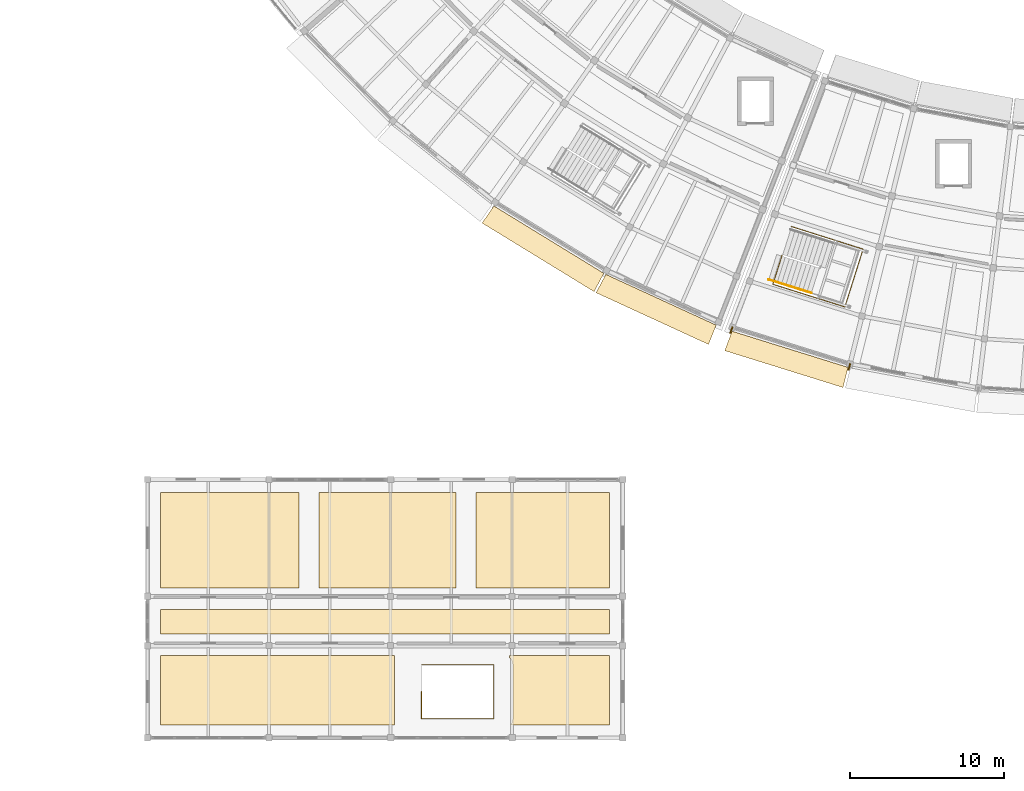
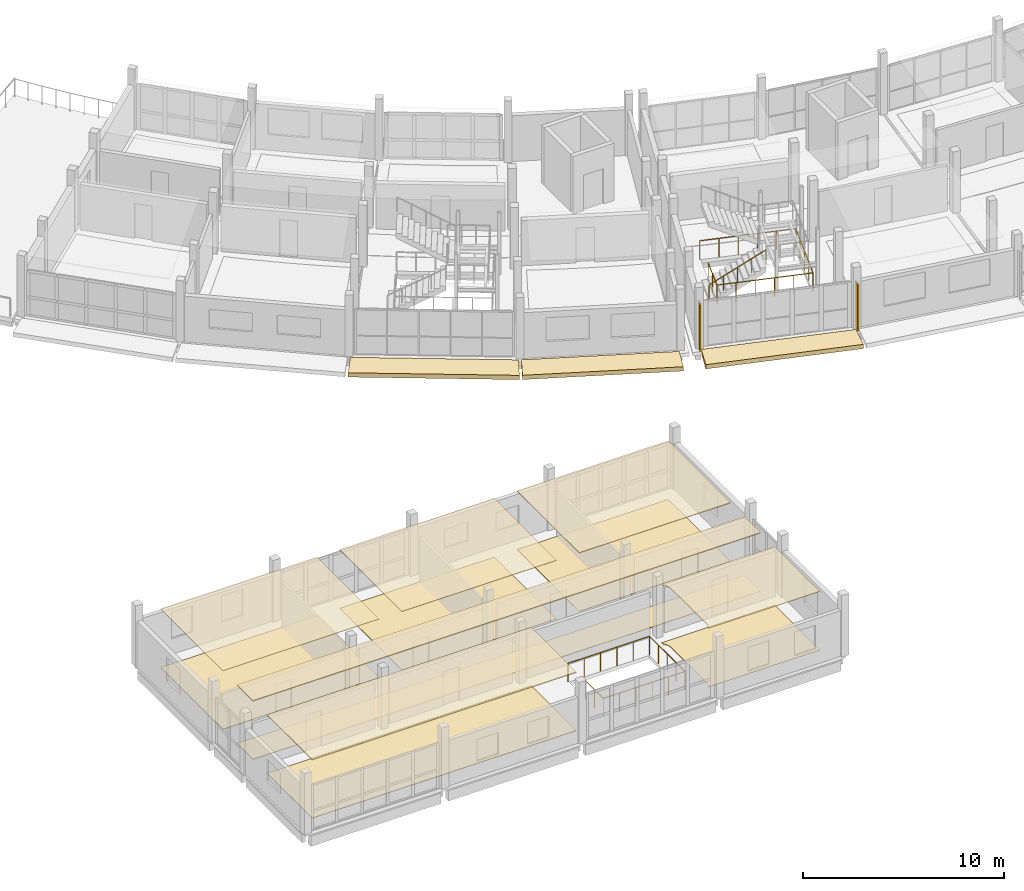
# One storey, part 58 of 66: 15 coverings, 3 railings, 2 shading devices.
"""IFC4 building model written with IfcOpenShell, lengths in metres."""

import ifcopenshell
import ifcopenshell.guid

model = None  # the IFC model being written
_history = None  # IfcOwnerHistory: only IFC2X3 demands one
_inside = {}  # id of a spatial element -> (the spatial element, [elements in it])
_under = {}  # id of a project, library or spatial element -> (it, [spatial elements below it])
_declared = {}  # id of a project -> (the project, [libraries it declares])
_typed = {}  # id of a type object -> (the type object, [elements of that type])
_made_of = {}  # id of a material, layer set ... -> (it, [elements and type objects made of it])


def new_model(schema):
    """Start an empty IFC model of exactly this schema.

    Asked for "IFC4X3", IfcOpenShell would pick the latest addendum, in which some entities
    have other attributes; the version numbers below select the first issue.
    IFC2X3 requires an IfcOwnerHistory on every rooted entity: one is made here for all.
    """
    global model, _history
    if schema == "IFC4X3":
        model = ifcopenshell.file(schema_version=(4, 3, 0, 0))
    else:
        model = ifcopenshell.file(schema=schema)
    _inside.clear()
    _under.clear()
    _declared.clear()
    _typed.clear()
    _made_of.clear()
    _history = None
    if model.schema == "IFC2X3":
        org = make("IfcOrganization", Name="unknown")
        user = make(
            "IfcPersonAndOrganization",
            ThePerson=make("IfcPerson", FamilyName="unknown"),
            TheOrganization=org,
        )
        app = make(
            "IfcApplication",
            ApplicationDeveloper=org,
            Version="unknown",
            ApplicationFullName="unknown",
            ApplicationIdentifier="unknown",
        )
        _history = make(
            "IfcOwnerHistory",
            OwningUser=user,
            OwningApplication=app,
            ChangeAction="ADDED",
            CreationDate=0,
        )
    return model


def make(cls, **values):
    """One entity of the class cls with the attributes given. An attribute that is None is left unset."""
    return model.create_entity(
        cls, **{name: value for name, value in values.items() if value is not None}
    )


def rooted(cls, **values):
    """An entity with a GlobalId (a new one), such as an element, a storey or a relation."""
    return make(cls, GlobalId=ifcopenshell.guid.new(), OwnerHistory=_history, **values)


def si_unit(unit_type, name, prefix=None):
    """IfcSIUnit, for example si_unit("LENGTHUNIT", "METRE", prefix="MILLI")."""
    return make("IfcSIUnit", UnitType=unit_type, Prefix=prefix, Name=name)


def assignment(units):
    """IfcUnitAssignment: the units of a project."""
    return None if units is None else make("IfcUnitAssignment", Units=units)


def point(xyz):
    """IfcCartesianPoint."""
    return None if xyz is None else make("IfcCartesianPoint", Coordinates=xyz)


def direction(xyz):
    """IfcDirection."""
    return None if xyz is None else make("IfcDirection", DirectionRatios=xyz)


def frame(location, z_axis=None, x_axis=None):
    """IfcAxis2Placement3D, a coordinate frame: its origin and axes. An axis left out is left unset."""
    return make(
        "IfcAxis2Placement3D",
        Location=point(location),
        Axis=direction(z_axis),
        RefDirection=direction(x_axis),
    )


def frame_2d(location, x_axis=None):
    """IfcAxis2Placement2D, a coordinate frame in the plane: its origin and x axis."""
    return make(
        "IfcAxis2Placement2D", Location=point(location), RefDirection=direction(x_axis)
    )


def origin():
    """The frame at (0, 0, 0) with its axes left unset."""
    return frame((0.0, 0.0, 0.0))


def origin_2d():
    """The frame at (0, 0) in the plane with its x axis left unset."""
    return frame_2d((0.0, 0.0))


def place(relative_to, where):
    """IfcLocalPlacement: puts the frame where relative to a parent placement (None: the world)."""
    return make(
        "IfcLocalPlacement", PlacementRelTo=relative_to, RelativePlacement=where
    )


def context(
    kind, dimensions, precision=None, world=None, true_north=None, identifier=None
):
    """IfcGeometricRepresentationContext, for example the 3D "Model" context."""
    return make(
        "IfcGeometricRepresentationContext",
        ContextIdentifier=identifier,
        ContextType=kind,
        CoordinateSpaceDimension=dimensions,
        Precision=precision,
        WorldCoordinateSystem=world,
        TrueNorth=true_north,
    )


def subcontext(parent, identifier, kind, view, scale=None):
    """IfcGeometricRepresentationSubContext, for example "Body" below "Model"."""
    return make(
        "IfcGeometricRepresentationSubContext",
        ContextIdentifier=identifier,
        ContextType=kind,
        ParentContext=parent,
        TargetScale=scale,
        TargetView=view,
    )


def project(units=None, contexts=None):
    """IfcProject with its units and contexts."""
    return rooted(
        "IfcProject",
        Name="project",
        RepresentationContexts=contexts,
        UnitsInContext=assignment(units),
    )


def spatial(cls, under=None, at=None, **own):
    """A site, building, storey or space (cls), placed at a placement, below another one or the project."""
    s = rooted(cls, ObjectPlacement=at, **own)
    if under is not None:
        _under.setdefault(under.id(), (under, []))[1].append(s)
    return s


def polyline(points):
    """IfcPolyline through the points."""
    return make("IfcPolyline", Points=[point(p) for p in points])


def profile(cls, at=None, kind="AREA", **sizes):
    """A parametric profile (cls). Its sizes go by their IFC names, for example OverallWidth=200.0."""
    return make(cls, ProfileType=kind, Position=at, **sizes)


def rectangle(**sizes):
    """IfcRectangleProfileDef."""
    return profile("IfcRectangleProfileDef", **sizes)


def circle(**sizes):
    """IfcCircleProfileDef."""
    return profile("IfcCircleProfileDef", **sizes)


def outline(outer, holes=None, kind="AREA"):
    """IfcArbitraryClosedProfileDef: a profile drawn as a closed curve; with holes, ...WithVoids."""
    if holes is None:
        return make("IfcArbitraryClosedProfileDef", ProfileType=kind, OuterCurve=outer)
    return make(
        "IfcArbitraryProfileDefWithVoids",
        ProfileType=kind,
        OuterCurve=outer,
        InnerCurves=holes,
    )


def extrude(swept, where, along, depth):
    """IfcExtrudedAreaSolid: the profile swept, set in the frame where, extruded along a direction by depth."""
    return make(
        "IfcExtrudedAreaSolid",
        SweptArea=swept,
        Position=where,
        ExtrudedDirection=direction(along),
        Depth=depth,
    )


def shape(context_of_items, identifier, shape_type, items):
    """IfcShapeRepresentation: the items that make up one representation, for example the "Body"."""
    return make(
        "IfcShapeRepresentation",
        ContextOfItems=context_of_items,
        RepresentationIdentifier=identifier,
        RepresentationType=shape_type,
        Items=items,
    )


def material(Name=None, Category=None):
    """IfcMaterial."""
    return make("IfcMaterial", Name=Name, Category=Category)


def layer(
    of_material, thickness, ventilated=None, Name=None, Category=None, Priority=None
):
    """IfcMaterialLayer: one layer of a wall or slab, of a material (None: an air gap)."""
    return make(
        "IfcMaterialLayer",
        Material=of_material,
        LayerThickness=thickness,
        IsVentilated=ventilated,
        Name=Name,
        Category=Category,
        Priority=Priority,
    )


def layer_set(layers, Name=None):
    """IfcMaterialLayerSet."""
    return make("IfcMaterialLayerSet", MaterialLayers=layers, LayerSetName=Name)


def made_of(thing, what):
    """Note that an element or type object is made of a material, layer set ...; save() writes the relation."""
    if what is not None:
        _made_of.setdefault(what.id(), (what, []))[1].append(thing)
    return thing


def type_object(cls, material=None, **own):
    """A type object (cls), such as IfcWallType, which elements share."""
    return made_of(rooted(cls, **own), material)


def element(
    cls,
    number,
    at=None,
    inside=None,
    cuts=None,
    type_object=None,
    material=None,
    context=None,
    identifier="Body",
    shape_type=None,
    held_by="IfcProductDefinitionShape",
    body=None,
    shapes=None,
    **own,
):
    """One element of the class cls, such as IfcWall. Its Tag is "e" and its number.

    at: its placement. inside: the storey or other place that contains it. cuts: it is an
    opening in that element (IfcRelVoidsElement). A single representation is given by context,
    identifier, shape_type and body (its items); several are given by shapes. held_by: the class
    of the entity that holds the representations. save() writes the other relations.
    """
    e = rooted(cls, Tag="e%d" % number, ObjectPlacement=at, **own)
    if body is not None:
        shapes = [shape(context, identifier, shape_type, body)]
    if shapes is not None:
        e.Representation = make(held_by, Representations=shapes)
    if inside is not None:
        _inside.setdefault(inside.id(), (inside, []))[1].append(e)
    if cuts is not None:
        rooted(
            "IfcRelVoidsElement", RelatingBuildingElement=cuts, RelatedOpeningElement=e
        )
    if type_object is not None:
        _typed.setdefault(type_object.id(), (type_object, []))[1].append(e)
    return made_of(e, material)


def aggregate(whole, parts):
    """IfcRelAggregates: a whole, such as a stair, and the parts it consists of."""
    return rooted("IfcRelAggregates", RelatingObject=whole, RelatedObjects=parts)


def save(model, path):
    """Write the relations noted so far, then the file.

    IfcRelAggregates (storeys below a building ...), IfcRelContainedInSpatialStructure (elements
    in a storey), IfcRelDefinesByType, IfcRelAssociatesMaterial and IfcRelDeclares: one each for
    every whole, place, type object, material and project.
    """
    for whole, parts in _under.values():
        aggregate(whole, parts)
    for where, things in _inside.values():
        rooted(
            "IfcRelContainedInSpatialStructure",
            RelatedElements=things,
            RelatingStructure=where,
        )
    for kind, things in _typed.values():
        rooted("IfcRelDefinesByType", RelatedObjects=things, RelatingType=kind)
    for what, things in _made_of.values():
        rooted("IfcRelAssociatesMaterial", RelatedObjects=things, RelatingMaterial=what)
    for by, libraries in _declared.values():
        rooted("IfcRelDeclares", RelatingContext=by, RelatedDefinitions=libraries)
    model.write(path)


model = new_model("IFC4")

# Units and contexts
model_context = context("Model", 3, precision=1e-05, world=origin(), true_north=direction((0.0, 1.0)))
body_context = subcontext(model_context, "Body", "Model", "MODEL_VIEW")
ifc_project = project(units=[si_unit("LENGTHUNIT", "METRE"), si_unit("AREAUNIT", "SQUARE_METRE"), si_unit("VOLUMEUNIT", "CUBIC_METRE"), si_unit("PLANEANGLEUNIT", "RADIAN"), si_unit("MASSUNIT", "GRAM", prefix="KILO")], contexts=[model_context])

# Site, building, storey
site_placement = place(None, origin())
site = spatial("IfcSite", under=ifc_project, at=site_placement, CompositionType="ELEMENT")
building_placement = place(site_placement, origin())
building = spatial("IfcBuilding", under=site, at=building_placement, Name="Caldaven Crescent School", CompositionType="ELEMENT")
storey_placement = place(building_placement, frame((0.0, 0.0, 8.159912109375)))
storey = spatial("IfcBuildingStorey", under=building, at=storey_placement, Name="L02", CompositionType="ELEMENT", Elevation=8.159912109375)

# Coverings
ifc_material_1 = material(Name="White architectural GFRC precast concrete C35/45 cladding", Category="concrete")
ifc_layer_1 = layer(ifc_material_1, 0.260009765625)
ifc_layer_set_1 = layer_set([ifc_layer_1], Name="White architectural GFRC precast concrete C35/45 cladding")
covering_type_1 = type_object("IfcCoveringType", Name="COV-CLD1", PredefinedType="CLADDING", material=ifc_layer_set_1)
covering_1_placement = place(storey_placement, frame((0.0, 0.0, -0.260009765625)))
element("IfcCovering", 1, at=covering_1_placement, inside=storey, type_object=covering_type_1, Name="CLD-OUT-L02-042", PredefinedType="CLADDING", context=body_context, shape_type="SweptSolid", body=[
    extrude(outline(polyline([(63.503662109375, 30.6396484375), (71.04296875, 28.291015625), (70.715087890625, 26.9814453125), (63.02978515625, 29.37548828125), (63.503662109375, 30.6396484375)])), origin(), (0.0, 0.0, 1.0), 0.260009765625),
])
ifc_layer_2 = layer(ifc_material_1, 0.260009765625)
ifc_layer_set_2 = layer_set([ifc_layer_2], Name="White architectural GFRC precast concrete C35/45 cladding")
covering_type_2 = type_object("IfcCoveringType", Name="COV-CLD2", PredefinedType="CLADDING", material=ifc_layer_set_2)
covering_2_placement = place(storey_placement, frame((0.0, 0.0, -0.260009765625)))
element("IfcCovering", 2, at=covering_2_placement, inside=storey, type_object=covering_type_2, Name="CLD-OUT-L02-038", PredefinedType="CLADDING", context=body_context, shape_type="SweptSolid", body=[
    extrude(outline(polyline([(48.024169921875, 38.78125), (55.166259765625, 34.404541015625), (54.53125, 33.21337890625), (47.2509765625, 37.674560546875), (48.024169921875, 38.78125)])), origin(), (0.0, 0.0, 1.0), 0.260009765625),
])
covering_3_placement = place(storey_placement, frame((0.0, 0.0, -0.260009765625)))
element("IfcCovering", 3, at=covering_3_placement, inside=storey, type_object=covering_type_2, Name="CLD-OUT-L02-040", PredefinedType="CLADDING", context=body_context, shape_type="SweptSolid", body=[
    extrude(outline(polyline([(55.29541015625, 34.3359375), (62.4697265625, 31.03662109375), (61.97607421875, 29.780029296875), (54.662841796875, 33.143310546875), (55.29541015625, 34.3359375)])), origin(), (0.0, 0.0, 1.0), 0.260009765625),
])
ifc_material_2 = material(Name="Perforated Pino Radiata acoustic timber baffle ceiling", Category="wood")
ifc_layer_3 = layer(ifc_material_2, 0.030029296875)
ifc_layer_set_3 = layer_set([ifc_layer_3], Name="Perforated Pino Radiata acoustic timber baffle ceiling")
covering_type_3 = type_object("IfcCoveringType", Name="COV-CLG1", PredefinedType="CEILING", material=ifc_layer_set_3)
covering_4_placement = place(storey_placement, frame((0.0, 0.0, 3.56005859375)))
element("IfcCovering", 4, at=covering_4_placement, inside=storey, type_object=covering_type_3, Name="CLG-L02-056", PredefinedType="CEILING", context=body_context, shape_type="SweptSolid", body=[
    extrude(outline(polyline([(35.35009765625, 20.14990234375), (35.35009765625, 13.949951171875), (26.35009765625, 13.949951171875), (26.35009765625, 20.14990234375), (35.35009765625, 20.14990234375)])), origin(), (0.0, 0.0, 1.0), 0.030029296875),
])
covering_5_placement = place(storey_placement, frame((0.0, 0.0, 3.56005859375)))
element("IfcCovering", 5, at=covering_5_placement, inside=storey, type_object=covering_type_3, Name="CLG-L02-060", PredefinedType="CEILING", context=body_context, shape_type="SweptSolid", body=[
    extrude(outline(polyline([(49.050048828125, 9.550048828125), (55.550048828125, 9.550048828125), (55.550048828125, 5.050048828125), (49.10205078125, 5.050048828125), (49.104736328125, 5.053466796875), (49.119384765625, 5.0732421875), (49.144287109375, 5.1103515625), (49.156982421875, 5.131591796875), (49.177001953125, 5.169189453125), (49.1875, 5.191162109375), (49.205078125, 5.23388671875), (49.21337890625, 5.2568359375), (49.2255859375, 5.29736328125), (49.2314453125, 5.3212890625), (49.240234375, 5.365234375), (49.243896484375, 5.3896484375), (49.248291015625, 5.43359375), (49.24951171875, 5.4580078125), (49.25, 5.47998046875), (49.25, 8.919921875), (49.24951171875, 8.94189453125), (49.248291015625, 8.966552734375), (49.243896484375, 9.010498046875), (49.240234375, 9.03466796875), (49.2314453125, 9.078857421875), (49.2255859375, 9.1025390625), (49.21337890625, 9.14306640625), (49.205078125, 9.166259765625), (49.1875, 9.208740234375), (49.177001953125, 9.23095703125), (49.156982421875, 9.2685546875), (49.144287109375, 9.28955078125), (49.119384765625, 9.326904296875), (49.104736328125, 9.346435546875), (49.07666015625, 9.380859375), (49.060302734375, 9.39892578125), (49.050048828125, 9.4091796875), (49.050048828125, 9.550048828125)])), origin(), (0.0, 0.0, 1.0), 0.030029296875),
])
ifc_layer_4 = layer(ifc_material_2, 0.0380859375)
ifc_layer_set_4 = layer_set([ifc_layer_4], Name="Perforated Pino Radiata acoustic timber baffle ceiling")
covering_type_4 = type_object("IfcCoveringType", Name="COV-CLG2", PredefinedType="CEILING", material=ifc_layer_set_4)
covering_6_placement = place(storey_placement, frame((0.0, 0.0, 3.552001953125)))
element("IfcCovering", 6, at=covering_6_placement, inside=storey, type_object=covering_type_4, Name="CLG-L02-057", PredefinedType="CEILING", context=body_context, shape_type="SweptSolid", body=[
    extrude(outline(polyline([(45.550048828125, 20.14990234375), (45.550048828125, 13.949951171875), (36.64990234375, 13.949951171875), (36.64990234375, 20.14990234375), (45.550048828125, 20.14990234375)])), origin(), (0.0, 0.0, 1.0), 0.0380859375),
])
ifc_layer_5 = layer(ifc_material_2, 0.0458984375)
ifc_layer_set_5 = layer_set([ifc_layer_5], Name="Perforated Pino Radiata acoustic timber baffle ceiling")
covering_type_5 = type_object("IfcCoveringType", Name="COV-CLG3", PredefinedType="CEILING", material=ifc_layer_set_5)
covering_7_placement = place(storey_placement, frame((0.0, 0.0, 3.544189453125)))
element("IfcCovering", 7, at=covering_7_placement, inside=storey, type_object=covering_type_5, Name="CLG-L02-058", PredefinedType="CEILING", context=body_context, shape_type="SweptSolid", body=[
    extrude(outline(polyline([(55.550048828125, 20.14990234375), (55.550048828125, 13.949951171875), (46.85009765625, 13.949951171875), (46.85009765625, 20.14990234375), (55.550048828125, 20.14990234375)])), origin(), (0.0, 0.0, 1.0), 0.0458984375),
])
ifc_layer_6 = layer(ifc_material_2, 0.053955078125)
ifc_layer_set_6 = layer_set([ifc_layer_6], Name="Perforated Pino Radiata acoustic timber baffle ceiling")
covering_type_6 = type_object("IfcCoveringType", Name="COV-CLG4", PredefinedType="CEILING", material=ifc_layer_set_6)
covering_8_placement = place(storey_placement, frame((0.0, 0.0, 3.5361328125)))
element("IfcCovering", 8, at=covering_8_placement, inside=storey, type_object=covering_type_6, Name="CLG-L02-055", PredefinedType="CEILING", context=body_context, shape_type="SweptSolid", body=[
    extrude(outline(polyline([(55.550048828125, 12.550048828125), (55.550048828125, 10.949951171875), (26.35009765625, 10.949951171875), (26.35009765625, 12.550048828125), (55.550048828125, 12.550048828125)])), origin(), (0.0, 0.0, 1.0), 0.053955078125),
])
covering_9_placement = place(storey_placement, frame((0.0, 0.0, 3.5361328125)))
element("IfcCovering", 9, at=covering_9_placement, inside=storey, type_object=covering_type_6, Name="CLG-L02-059", PredefinedType="CEILING", context=body_context, shape_type="SweptSolid", body=[
    extrude(outline(polyline([(41.550048828125, 9.550048828125), (41.550048828125, 5.050048828125), (26.35009765625, 5.050048828125), (26.35009765625, 9.550048828125), (41.550048828125, 9.550048828125)])), origin(), (0.0, 0.0, 1.0), 0.053955078125),
])
ifc_material_3 = material(Name="Polished terrazzo and acoustic linoleum flooring")
ifc_layer_7 = layer(ifc_material_3, 0.02001953125)
ifc_layer_set_7 = layer_set([ifc_layer_7], Name="Polished terrazzo and acoustic linoleum flooring")
covering_type_7 = type_object("IfcCoveringType", Name="COV-FLR1", PredefinedType="FLOORING", material=ifc_layer_set_7)
covering_10_placement = place(storey_placement, origin())
element("IfcCovering", 10, at=covering_10_placement, inside=storey, type_object=covering_type_7, Name="FLR-L02-057", PredefinedType="FLOORING", context=body_context, shape_type="SweptSolid", body=[
    extrude(outline(polyline([(36.64990234375, 20.14990234375), (45.550048828125, 20.14990234375), (45.550048828125, 13.949951171875), (36.64990234375, 13.949951171875), (36.64990234375, 20.14990234375)])), origin(), (0.0, 0.0, 1.0), 0.02001953125),
])
covering_11_placement = place(storey_placement, origin())
element("IfcCovering", 11, at=covering_11_placement, inside=storey, type_object=covering_type_7, Name="FLR-L02-060", PredefinedType="FLOORING", context=body_context, shape_type="SweptSolid", body=[
    extrude(outline(polyline([(49.050048828125, 9.4091796875), (49.050048828125, 9.550048828125), (55.550048828125, 9.550048828125), (55.550048828125, 5.050048828125), (49.10205078125, 5.050048828125), (49.104736328125, 5.053466796875), (49.119384765625, 5.0732421875), (49.144287109375, 5.1103515625), (49.156982421875, 5.131591796875), (49.177001953125, 5.169189453125), (49.1875, 5.191162109375), (49.205078125, 5.23388671875), (49.21337890625, 5.2568359375), (49.2255859375, 5.29736328125), (49.2314453125, 5.3212890625), (49.240234375, 5.365234375), (49.243896484375, 5.3896484375), (49.248291015625, 5.43359375), (49.24951171875, 5.4580078125), (49.25, 5.47998046875), (49.25, 8.919921875), (49.24951171875, 8.94189453125), (49.248291015625, 8.966552734375), (49.243896484375, 9.010498046875), (49.240234375, 9.03466796875), (49.2314453125, 9.078857421875), (49.2255859375, 9.1025390625), (49.21337890625, 9.14306640625), (49.205078125, 9.166259765625), (49.1875, 9.208740234375), (49.177001953125, 9.23095703125), (49.156982421875, 9.2685546875), (49.144287109375, 9.28955078125), (49.119384765625, 9.326904296875), (49.104736328125, 9.346435546875), (49.07666015625, 9.380859375), (49.060302734375, 9.39892578125), (49.050048828125, 9.4091796875)])), origin(), (0.0, 0.0, 1.0), 0.02001953125),
])
ifc_layer_8 = layer(ifc_material_3, 0.02587890625)
ifc_layer_set_8 = layer_set([ifc_layer_8], Name="Polished terrazzo and acoustic linoleum flooring")
covering_type_8 = type_object("IfcCoveringType", Name="COV-FLR2", PredefinedType="FLOORING", material=ifc_layer_set_8)
covering_12_placement = place(storey_placement, origin())
element("IfcCovering", 12, at=covering_12_placement, inside=storey, type_object=covering_type_8, Name="FLR-L02-055", PredefinedType="FLOORING", context=body_context, shape_type="SweptSolid", body=[
    extrude(outline(polyline([(26.35009765625, 12.550048828125), (55.550048828125, 12.550048828125), (55.550048828125, 10.949951171875), (26.35009765625, 10.949951171875), (26.35009765625, 12.550048828125)])), origin(), (0.0, 0.0, 1.0), 0.026123046875),
])
covering_13_placement = place(storey_placement, origin())
element("IfcCovering", 13, at=covering_13_placement, inside=storey, type_object=covering_type_8, Name="FLR-L02-058", PredefinedType="FLOORING", context=body_context, shape_type="SweptSolid", body=[
    extrude(outline(polyline([(46.85009765625, 20.14990234375), (55.550048828125, 20.14990234375), (55.550048828125, 13.949951171875), (46.85009765625, 13.949951171875), (46.85009765625, 20.14990234375)])), origin(), (0.0, 0.0, 1.0), 0.026123046875),
])
ifc_layer_9 = layer(ifc_material_3, 0.031982421875)
ifc_layer_set_9 = layer_set([ifc_layer_9], Name="Polished terrazzo and acoustic linoleum flooring")
covering_type_9 = type_object("IfcCoveringType", Name="COV-FLR3", PredefinedType="FLOORING", material=ifc_layer_set_9)
covering_14_placement = place(storey_placement, origin())
element("IfcCovering", 14, at=covering_14_placement, inside=storey, type_object=covering_type_9, Name="FLR-L02-056", PredefinedType="FLOORING", context=body_context, shape_type="SweptSolid", body=[
    extrude(outline(polyline([(26.35009765625, 20.14990234375), (35.35009765625, 20.14990234375), (35.35009765625, 13.949951171875), (26.35009765625, 13.949951171875), (26.35009765625, 20.14990234375)])), origin(), (0.0, 0.0, 1.0), 0.031982421875),
])
covering_15_placement = place(storey_placement, origin())
element("IfcCovering", 15, at=covering_15_placement, inside=storey, type_object=covering_type_9, Name="FLR-L02-059", PredefinedType="FLOORING", context=body_context, shape_type="SweptSolid", body=[
    extrude(outline(polyline([(26.35009765625, 9.550048828125), (41.550048828125, 9.550048828125), (41.550048828125, 5.050048828125), (26.35009765625, 5.050048828125), (26.35009765625, 9.550048828125)])), origin(), (0.0, 0.0, 1.0), 0.031982421875),
])

# Railings
ifc_material_4 = material(Name="Brushed stainless-steel continuous tubular handrail", Category="steel")
railing_type_1 = type_object("IfcRailingType", Name="RAL-HR2", PredefinedType="HANDRAIL", material=ifc_material_4)
railing_1_placement = place(storey_placement, frame((65.89111328125, 33.993408203125, 0.173095703125)))
element("IfcRailing", 16, at=railing_1_placement, inside=storey, type_object=railing_type_1, Name="HR-ST2-L02-F1", PredefinedType="HANDRAIL", context=body_context, shape_type="SweptSolid", body=[
    extrude(circle(Radius=0.02392578125, at=origin_2d()), frame((0.0, 0.0, 0.8759765625), z_axis=(0.822759414235, -0.259436496085, 0.50572685393), x_axis=(0.300728414298, 0.953709820036, 0.0)), (0.0, 0.0, 1.0), 3.361328125),
    extrude(circle(Radius=0.02099609375, at=origin_2d()), origin(), (0.0, 0.0, 1.0), 0.851806640625),
    extrude(circle(Radius=0.02099609375, at=origin_2d()), frame((0.69140625, -0.218017578125, 0.425048828125)), (0.0, 0.0, 1.0), 0.851806640625),
    extrude(circle(Radius=0.02099609375, at=origin_2d()), frame((1.3828125, -0.43603515625, 0.85009765625)), (0.0, 0.0, 1.0), 0.851806640625),
    extrude(circle(Radius=0.02099609375, at=origin_2d()), frame((2.07421875, -0.654052734375, 1.27490234375)), (0.0, 0.0, 1.0), 0.851806640625),
    extrude(circle(Radius=0.02099609375, at=origin_2d()), frame((2.765625, -0.8720703125, 1.699951171875)), (0.0, 0.0, 1.0), 0.851806640625),
])
ifc_material_5 = material(Name="Powder-coated tubular steel balustrade ASTM A572 Grade 50", Category="steel")
railing_type_2 = type_object("IfcRailingType", Name="RAL-INT3", PredefinedType="BALUSTRADE", material=ifc_material_5)
railing_2_placement = place(storey_placement, frame((43.318115234375, 7.219970703125, 0.0)))
element("IfcRailing", 17, at=railing_2_placement, inside=storey, type_object=railing_type_2, Name="GD-WELL-STV4S-L02", PredefinedType="BALUSTRADE", context=body_context, shape_type="SweptSolid", body=[
    extrude(circle(Radius=0.02392578125, at=origin_2d()), frame((0.0, 0.0, 1.1259765625), z_axis=(0.0, -1.0, 0.0), x_axis=(1.0, 0.0, 0.0)), (0.0, 0.0, 1.0), 1.780029296875),
    extrude(circle(Radius=0.02392578125, at=origin_2d()), frame((0.0, -1.780029296875, 1.1259765625), z_axis=(1.0, 0.0, 0.0), x_axis=(0.0, 1.0, 0.0)), (0.0, 0.0, 1.0), 4.69189453125),
    extrude(circle(Radius=0.02392578125, at=origin_2d()), frame((4.69189453125, -1.780029296875, 1.1259765625), z_axis=(0.0, 1.0, 0.0), x_axis=(-1.0, 0.0, 0.0)), (0.0, 0.0, 1.0), 3.52001953125),
    extrude(circle(Radius=0.02392578125, at=origin_2d()), frame((4.69189453125, 1.739990234375, 1.1259765625), z_axis=(-1.0, 0.0, 0.0), x_axis=(0.0, -1.0, 0.0)), (0.0, 0.0, 1.0), 4.69189453125),
    extrude(circle(Radius=0.02099609375, at=origin_2d()), origin(), (0.0, 0.0, 1.0), 1.101806640625),
    extrude(circle(Radius=0.02099609375, at=origin_2d()), frame((0.0, -0.89013671875, 0.0)), (0.0, 0.0, 1.0), 1.101806640625),
    extrude(circle(Radius=0.02099609375, at=origin_2d()), frame((0.0, -1.780029296875, 0.0)), (0.0, 0.0, 1.0), 1.101806640625),
    extrude(circle(Radius=0.02099609375, at=origin_2d()), frame((0.9384765625, -1.780029296875, 0.0)), (0.0, 0.0, 1.0), 1.101806640625),
    extrude(circle(Radius=0.02099609375, at=origin_2d()), frame((1.876708984375, -1.780029296875, 0.0)), (0.0, 0.0, 1.0), 1.101806640625),
    extrude(circle(Radius=0.02099609375, at=origin_2d()), frame((2.815185546875, -1.780029296875, 0.0)), (0.0, 0.0, 1.0), 1.101806640625),
    extrude(circle(Radius=0.02099609375, at=origin_2d()), frame((3.75341796875, -1.780029296875, 0.0)), (0.0, 0.0, 1.0), 1.101806640625),
    extrude(circle(Radius=0.02099609375, at=origin_2d()), frame((4.69189453125, -1.780029296875, 0.0)), (0.0, 0.0, 1.0), 1.101806640625),
    extrude(circle(Radius=0.02099609375, at=origin_2d()), frame((4.69189453125, -0.89990234375, 0.0)), (0.0, 0.0, 1.0), 1.101806640625),
    extrude(circle(Radius=0.02099609375, at=origin_2d()), frame((4.69189453125, -0.02001953125, 0.0)), (0.0, 0.0, 1.0), 1.101806640625),
    extrude(circle(Radius=0.02099609375, at=origin_2d()), frame((4.69189453125, 0.85986328125, 0.0)), (0.0, 0.0, 1.0), 1.101806640625),
    extrude(circle(Radius=0.02099609375, at=origin_2d()), frame((4.69189453125, 1.739990234375, 0.0)), (0.0, 0.0, 1.0), 1.101806640625),
    extrude(circle(Radius=0.02099609375, at=origin_2d()), frame((3.75341796875, 1.739990234375, 0.0)), (0.0, 0.0, 1.0), 1.101806640625),
    extrude(circle(Radius=0.02099609375, at=origin_2d()), frame((2.815185546875, 1.739990234375, 0.0)), (0.0, 0.0, 1.0), 1.101806640625),
    extrude(circle(Radius=0.02099609375, at=origin_2d()), frame((1.876708984375, 1.739990234375, 0.0)), (0.0, 0.0, 1.0), 1.101806640625),
    extrude(circle(Radius=0.02099609375, at=origin_2d()), frame((0.9384765625, 1.739990234375, 0.0)), (0.0, 0.0, 1.0), 1.101806640625),
    extrude(circle(Radius=0.02099609375, at=origin_2d()), frame((0.0, 1.739990234375, 0.0)), (0.0, 0.0, 1.0), 1.101806640625),
])
railing_3_placement = place(storey_placement, frame((66.759765625, 35.59130859375, 0.0)))
element("IfcRailing", 18, at=railing_3_placement, inside=storey, type_object=railing_type_2, Name="GD-WELL-ST2-L02", PredefinedType="BALUSTRADE", context=body_context, shape_type="SweptSolid", body=[
    extrude(circle(Radius=0.02392578125, at=origin_2d()), frame((0.0, 0.0, 1.1259765625), z_axis=(-0.30080256489, -0.953686435342, 0.0), x_axis=(0.953686435342, -0.30080256489, 0.0)), (0.0, 0.0, 1.0), 1.990234375),
    extrude(circle(Radius=0.02392578125, at=origin_2d()), frame((-0.5986328125, -1.89794921875, 1.1259765625), z_axis=(0.953716548074, -0.30070707662, 0.0), x_axis=(0.30070707662, 0.953716548074, 0.0)), (0.0, 0.0, 1.0), 4.902099609375),
    extrude(circle(Radius=0.02392578125, at=origin_2d()), frame((4.07666015625, -3.3720703125, 1.1259765625), z_axis=(0.300719120194, 0.953712750649, 0.0), x_axis=(-0.953712750649, 0.300719120194, 0.0)), (0.0, 0.0, 1.0), 3.93994140625),
    extrude(circle(Radius=0.02392578125, at=origin_2d()), frame((5.261474609375, 0.385498046875, 1.1259765625), z_axis=(-0.953716548074, 0.30070707662, 0.0), x_axis=(-0.30070707662, -0.953716548074, 0.0)), (0.0, 0.0, 1.0), 4.902099609375),
    extrude(circle(Radius=0.02099609375, at=origin_2d()), origin(), (0.0, 0.0, 1.0), 1.101806640625),
    extrude(circle(Radius=0.02099609375, at=origin_2d()), frame((-0.29931640625, -0.948974609375, 0.0)), (0.0, 0.0, 1.0), 1.101806640625),
    extrude(circle(Radius=0.02099609375, at=origin_2d()), frame((-0.5986328125, -1.89794921875, 0.0)), (0.0, 0.0, 1.0), 1.101806640625),
    extrude(circle(Radius=0.02099609375, at=origin_2d()), frame((0.33642578125, -2.19287109375, 0.0)), (0.0, 0.0, 1.0), 1.101806640625),
    extrude(circle(Radius=0.02099609375, at=origin_2d()), frame((1.271484375, -2.487548828125, 0.0)), (0.0, 0.0, 1.0), 1.101806640625),
    extrude(circle(Radius=0.02099609375, at=origin_2d()), frame((2.20654296875, -2.782470703125, 0.0)), (0.0, 0.0, 1.0), 1.101806640625),
    extrude(circle(Radius=0.02099609375, at=origin_2d()), frame((3.1416015625, -3.0771484375, 0.0)), (0.0, 0.0, 1.0), 1.101806640625),
    extrude(circle(Radius=0.02099609375, at=origin_2d()), frame((4.07666015625, -3.3720703125, 0.0)), (0.0, 0.0, 1.0), 1.101806640625),
    extrude(circle(Radius=0.02099609375, at=origin_2d()), frame((4.372802734375, -2.4326171875, 0.0)), (0.0, 0.0, 1.0), 1.101806640625),
    extrude(circle(Radius=0.02099609375, at=origin_2d()), frame((4.6689453125, -1.4931640625, 0.0)), (0.0, 0.0, 1.0), 1.101806640625),
    extrude(circle(Radius=0.02099609375, at=origin_2d()), frame((4.96533203125, -0.553955078125, 0.0)), (0.0, 0.0, 1.0), 1.101806640625),
    extrude(circle(Radius=0.02099609375, at=origin_2d()), frame((5.261474609375, 0.385498046875, 0.0)), (0.0, 0.0, 1.0), 1.101806640625),
    extrude(circle(Radius=0.02099609375, at=origin_2d()), frame((4.326416015625, 0.680419921875, 0.0)), (0.0, 0.0, 1.0), 1.101806640625),
    extrude(circle(Radius=0.02099609375, at=origin_2d()), frame((3.391357421875, 0.97509765625, 0.0)), (0.0, 0.0, 1.0), 1.101806640625),
    extrude(circle(Radius=0.02099609375, at=origin_2d()), frame((2.456298828125, 1.27001953125, 0.0)), (0.0, 0.0, 1.0), 1.101806640625),
    extrude(circle(Radius=0.02099609375, at=origin_2d()), frame((1.521240234375, 1.564697265625, 0.0)), (0.0, 0.0, 1.0), 1.101806640625),
    extrude(circle(Radius=0.02099609375, at=origin_2d()), frame((0.586181640625, 1.859619140625, 0.0)), (0.0, 0.0, 1.0), 1.101806640625),
])

# Shading devices
ifc_material_6 = material(Name="Bronze-anodised aluminium AA 6063-T6 sunshade", Category="aluminium")
ifc_layer_10 = layer(ifc_material_6, 0.080078125)
ifc_layer_set_10 = layer_set([ifc_layer_10], Name="Bronze-anodised aluminium AA 6063-T6 sunshade")
shading_device_type = type_object("IfcShadingDeviceType", Name="SHD-S04", PredefinedType="JALOUSIE", material=ifc_layer_set_10)
for number, where, z_axis, x_axis, name in (
    (19, (63.452880859375, 30.712158203125, 0.0), (0.0, 0.0, 1.0), (-0.352005016254, -0.93599811353, 0.0), "SHD-FIN-L02-028"),
    (20, (71.1259765625, 28.32177734375, 0.0), (0.0, 0.0, 1.0), (-0.2419218956, -0.970295726276, 0.0), "SHD-FIN-L02-030"),
):
    element("IfcShadingDevice", number, at=place(storey_placement, frame(where, z_axis=z_axis, x_axis=x_axis)), inside=storey, type_object=shading_device_type, Name=name, PredefinedType="JALOUSIE", context=body_context, shape_type="SweptSolid", body=[
        extrude(rectangle(XDim=0.449951171875, YDim=0.080078125, at=origin_2d()), origin(), (0.0, 0.0, 1.0), 2.780029296875),
    ])

save(model, "model.ifc")
